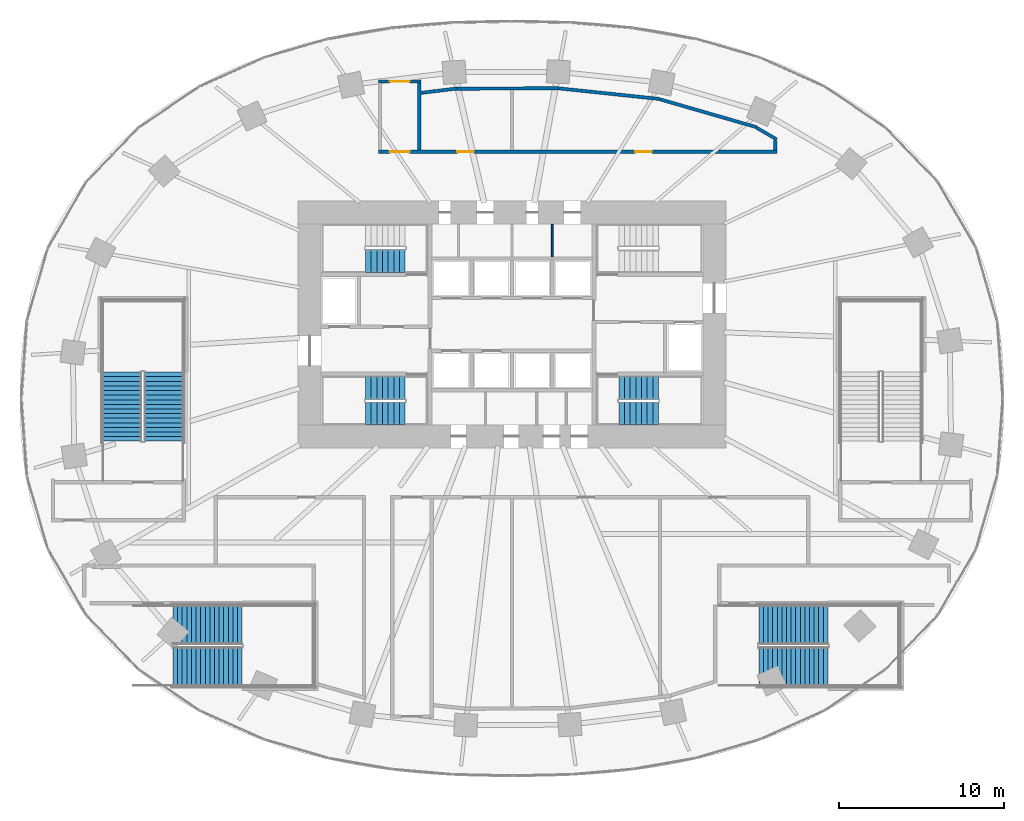
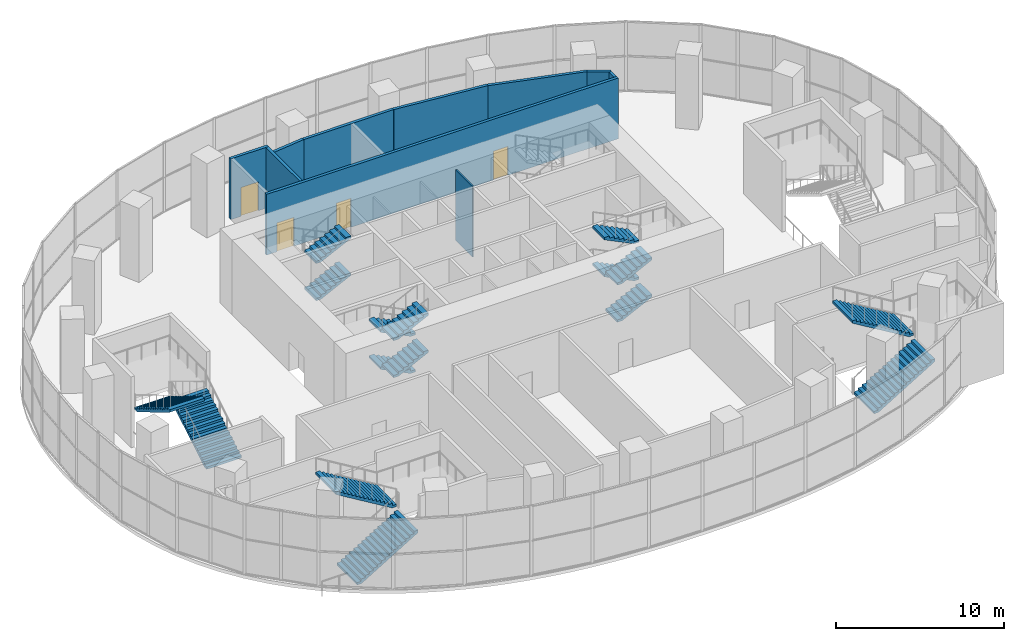
# One storey, part 14 of 20: 16 stair flights, 10 walls, 4 doors, 4 openings, 6 elements without a shape of their own.
"""IFC4 building model written with IfcOpenShell, lengths in metres."""

from ifc_helpers import new_model, si_unit, direction, frame, frame_2d, origin, place, context, subcontext, project, spatial, polyline, rectangle, outline, extrude, material, layer, layer_set, type_object, element, fill, aggregate, save


model = new_model("IFC4")

# Units and contexts
model_context = context("Model", 3, precision=1e-05, world=origin(), true_north=direction((0.0, 1.0)))
body_context = subcontext(model_context, "Body", "Model", "MODEL_VIEW")
ifc_project = project(units=[si_unit("LENGTHUNIT", "METRE"), si_unit("AREAUNIT", "SQUARE_METRE"), si_unit("VOLUMEUNIT", "CUBIC_METRE"), si_unit("PLANEANGLEUNIT", "RADIAN"), si_unit("MASSUNIT", "GRAM", prefix="KILO")], contexts=[model_context])

# Site, building, storey
site_placement = place(None, origin())
site = spatial("IfcSite", under=ifc_project, at=site_placement, CompositionType="ELEMENT")
building_placement = place(site_placement, origin())
building = spatial("IfcBuilding", under=site, at=building_placement, Name="Rubra Terraces Tower", CompositionType="ELEMENT")
storey_placement = place(building_placement, frame((0.0, 0.0, 22.800048828125)))
storey = spatial("IfcBuildingStorey", under=building, at=storey_placement, Name="L03", CompositionType="ELEMENT", Elevation=22.800048828125)

# Wall, opening, door
ifc_material_1 = material(Name="Blockwork", Category="masonry")
ifc_layer_1 = layer(ifc_material_1, 0.199951171875)
ifc_layer_set_1 = layer_set([ifc_layer_1], Name="Blockwork")
wall_type_1 = type_object("IfcWallType", Name="Corridor partition 200 blockwork", PredefinedType="PARTITIONING", material=ifc_layer_set_1)
wall_1_placement = place(storey_placement, frame((-8.1279296875, 19.258056640625, 0.0), z_axis=(0.0, 0.0, 1.0), x_axis=(1.0, 0.0, 0.0)))
wall_1 = element("IfcWall", 1, at=wall_1_placement, inside=storey, type_object=wall_type_1, Name="Partition wall", PredefinedType="PARTITIONING", context=body_context, shape_type="SweptSolid", body=[
    extrude(rectangle(XDim=2.599853515625, YDim=0.199951171875, at=frame_2d((1.2998046875, 0.0))), origin(), (0.0, 0.0, 1.0), 4.429931640625),
])
opening_1_placement = place(wall_1_placement, frame((0.699951171875, 0.0, 0.0)))
opening_1 = element("IfcOpeningElement", 2, at=opening_1_placement, cuts=wall_1, Name="Opening DB7", PredefinedType="OPENING", context=body_context, shape_type="SweptSolid", body=[
    extrude(rectangle(XDim=1.199951171875, YDim=2.10009765625, at=frame_2d((0.60009765625, 1.050048828125))), frame((0.0, 0.10986328125, 0.0), z_axis=(0.0, -1.0, 0.0), x_axis=(1.0, 0.0, 0.0)), (0.0, 0.0, 1.0), 0.219970703125),
])
ifc_material_2 = material(Name="Painted timber", Category="wood")
door_type_1 = type_object("IfcDoorType", Name="Door 1200x2100 single", OperationType="NOTDEFINED", PredefinedType="DOOR", material=ifc_material_2)
door_1_placement = place(opening_1_placement, origin())
door_1 = element("IfcDoor", 3, at=door_1_placement, inside=storey, type_object=door_type_1, Name="Door L03-02", OperationType="SINGLE_SWING_LEFT", OverallHeight=2.10009765625, OverallWidth=1.199951171875, PredefinedType="DOOR", context=body_context, shape_type="SweptSolid", body=[
    extrude(rectangle(XDim=1.199951171875, YDim=2.10009765625, at=frame_2d((0.60009765625, 1.050048828125))), frame((0.0, 0.02490234375, 0.0), z_axis=(0.0, -1.0, 0.0), x_axis=(1.0, 0.0, 0.0)), (0.0, 0.0, 1.0), 0.050048828125),
])
fill(opening_1, door_1)

# Wall
wall_2_placement = place(storey_placement, frame((-5.6279296875, 19.157958984375, 0.0), z_axis=(0.0, 0.0, 1.0), x_axis=(0.0, -1.0, 0.0)))
element("IfcWall", 4, at=wall_2_placement, inside=storey, type_object=wall_type_1, Name="Partition wall", PredefinedType="PARTITIONING", context=body_context, shape_type="SweptSolid", body=[
    extrude(rectangle(XDim=4.057861328125, YDim=0.199951171875, at=frame_2d((2.02880859375, 0.0))), origin(), (0.0, 0.0, 1.0), 4.429931640625),
])

# Wall, openings, doors
wall_3_placement = place(storey_placement, frame((16.10009765625, 15.0, 0.0), z_axis=(0.0, 0.0, 1.0), x_axis=(-1.0, 0.0, 0.0)))
wall_3 = element("IfcWall", 5, at=wall_3_placement, inside=storey, type_object=wall_type_1, Name="Partition wall", PredefinedType="PARTITIONING", context=body_context, shape_type="SweptSolid", body=[
    extrude(rectangle(XDim=24.22802734375, YDim=0.199951171875, at=frame_2d((12.114013671875, 0.0))), origin(), (0.0, 0.0, 1.0), 4.429931640625),
])
opening_2_placement = place(wall_3_placement, frame((22.327880859375, 0.0, 0.0)))
opening_2 = element("IfcOpeningElement", 6, at=opening_2_placement, cuts=wall_3, Name="Opening DB7", PredefinedType="OPENING", context=body_context, shape_type="SweptSolid", body=[
    extrude(rectangle(XDim=1.199951171875, YDim=2.10009765625, at=frame_2d((0.60009765625, 1.050048828125))), frame((0.0, 0.10986328125, 0.0), z_axis=(0.0, -1.0, 0.0), x_axis=(1.0, 0.0, 0.0)), (0.0, 0.0, 1.0), 0.219970703125),
])
opening_3_placement = place(wall_3_placement, frame((18.4140625, 0.0, 0.0)))
opening_3 = element("IfcOpeningElement", 7, at=opening_3_placement, cuts=wall_3, Name="Opening DB1", PredefinedType="OPENING", context=body_context, shape_type="SweptSolid", body=[
    extrude(rectangle(XDim=1.0, YDim=2.10009765625, at=frame_2d((0.5, 1.050048828125))), frame((0.0, 0.10986328125, 0.0), z_axis=(0.0, -1.0, 0.0), x_axis=(1.0, 0.0, 0.0)), (0.0, 0.0, 1.0), 0.219970703125),
])
opening_4_placement = place(wall_3_placement, frame((7.60009765625, 0.0, 0.0)))
opening_4 = element("IfcOpeningElement", 8, at=opening_4_placement, cuts=wall_3, Name="Opening DB1", PredefinedType="OPENING", context=body_context, shape_type="SweptSolid", body=[
    extrude(rectangle(XDim=1.0, YDim=2.10009765625, at=frame_2d((0.5, 1.050048828125))), frame((0.0, 0.10986328125, 0.0), z_axis=(0.0, -1.0, 0.0), x_axis=(1.0, 0.0, 0.0)), (0.0, 0.0, 1.0), 0.219970703125),
])
door_type_2 = type_object("IfcDoorType", Name="Door 1000x2100 single", OperationType="NOTDEFINED", PredefinedType="DOOR", material=ifc_material_2)
door_2_placement = place(opening_3_placement, origin())
door_2 = element("IfcDoor", 9, at=door_2_placement, inside=storey, type_object=door_type_2, Name="Door L03-15", OperationType="SINGLE_SWING_LEFT", OverallHeight=2.10009765625, OverallWidth=1.0, PredefinedType="DOOR", context=body_context, shape_type="SweptSolid", body=[
    extrude(rectangle(XDim=1.0, YDim=2.10009765625, at=frame_2d((0.5, 1.050048828125))), frame((0.0, 0.02490234375, 0.0), z_axis=(0.0, -1.0, 0.0), x_axis=(1.0, 0.0, 0.0)), (0.0, 0.0, 1.0), 0.050048828125),
])
fill(opening_3, door_2)
door_3_placement = place(opening_4_placement, origin())
door_3 = element("IfcDoor", 10, at=door_3_placement, inside=storey, type_object=door_type_2, Name="Door L03-16", OperationType="SINGLE_SWING_LEFT", OverallHeight=2.10009765625, OverallWidth=1.0, PredefinedType="DOOR", context=body_context, shape_type="SweptSolid", body=[
    extrude(rectangle(XDim=1.0, YDim=2.10009765625, at=frame_2d((0.5, 1.050048828125))), frame((0.0, 0.02490234375, 0.0), z_axis=(0.0, -1.0, 0.0), x_axis=(1.0, 0.0, 0.0)), (0.0, 0.0, 1.0), 0.050048828125),
])
fill(opening_4, door_3)
door_4_placement = place(opening_2_placement, origin())
door_4 = element("IfcDoor", 11, at=door_4_placement, inside=storey, type_object=door_type_1, Name="Door L03-01", OperationType="SINGLE_SWING_LEFT", OverallHeight=2.10009765625, OverallWidth=1.199951171875, PredefinedType="DOOR", context=body_context, shape_type="SweptSolid", body=[
    extrude(rectangle(XDim=1.199951171875, YDim=2.10009765625, at=frame_2d((0.60009765625, 1.050048828125))), frame((0.0, 0.02490234375, 0.0), z_axis=(0.0, -1.0, 0.0), x_axis=(1.0, 0.0, 0.0)), (0.0, 0.0, 1.0), 0.050048828125),
])
fill(opening_2, door_4)

# Walls
wall_4_placement = place(storey_placement, frame((-5.529052734375, 18.570068359375, 0.0), z_axis=(0.0, 0.0, 1.0), x_axis=(0.992659217013, 0.120944941522, 0.0)))
element("IfcWall", 12, at=wall_4_placement, inside=storey, type_object=wall_type_1, Name="Partition wall", PredefinedType="PARTITIONING", context=body_context, shape_type="SweptSolid", body=[
    extrude(rectangle(XDim=2.1982421875, YDim=0.199951171875, at=frame_2d((1.09912109375, 0.0))), origin(), (0.0, 0.0, 1.0), 4.429931640625),
])
wall_5_placement = place(storey_placement, frame((-3.345947265625, 18.823974609375, 0.0), z_axis=(0.0, 0.0, 1.0), x_axis=(0.999988297333, 0.004837891778, 0.0)))
element("IfcWall", 13, at=wall_5_placement, inside=storey, type_object=wall_type_1, Name="Partition wall", PredefinedType="PARTITIONING", context=body_context, shape_type="SweptSolid", body=[
    extrude(rectangle(XDim=6.20703125, YDim=0.199951171875, at=frame_2d((3.103515625, 0.0))), origin(), (0.0, 0.0, 1.0), 4.429931640625),
])
wall_6_placement = place(storey_placement, frame((2.860107421875, 18.843994140625, 0.0), z_axis=(0.0, 0.0, 1.0), x_axis=(0.994494179805, -0.10479182379, 0.0)))
element("IfcWall", 14, at=wall_6_placement, inside=storey, type_object=wall_type_1, Name="Partition wall", PredefinedType="PARTITIONING", context=body_context, shape_type="SweptSolid", body=[
    extrude(rectangle(XDim=6.173828125, YDim=0.199951171875, at=frame_2d((3.0869140625, 0.0))), origin(), (0.0, 0.0, 1.0), 4.429931640625),
])
ifc_layer_2 = layer(ifc_material_1, 0.199951171875)
ifc_layer_set_2 = layer_set([ifc_layer_2], Name="Blockwork")
wall_type_2 = type_object("IfcWallType", Name="Room partition 200 blockwork", PredefinedType="PARTITIONING", material=ifc_layer_set_2)
wall_7_placement = place(storey_placement, frame((8.9970703125, 18.178955078125, 0.0), z_axis=(0.0, 0.0, 1.0), x_axis=(0.960743591904, -0.277437831982, 0.0)))
element("IfcWall", 15, at=wall_7_placement, inside=storey, type_object=wall_type_2, Name="Partition wall", PredefinedType="PARTITIONING", context=body_context, shape_type="SweptSolid", body=[
    extrude(rectangle(XDim=6.098388671875, YDim=0.199951171875, at=frame_2d((3.04931640625, 0.0))), origin(), (0.0, 0.0, 1.0), 4.429931640625),
])
wall_8_placement = place(storey_placement, frame((14.845947265625, 16.465087890625, 0.0), z_axis=(0.0, 0.0, 1.0), x_axis=(0.863834413875, -0.503775848375, 0.0)))
element("IfcWall", 16, at=wall_8_placement, inside=storey, type_object=wall_type_2, Name="Partition wall", PredefinedType="PARTITIONING", context=body_context, shape_type="SweptSolid", body=[
    extrude(rectangle(XDim=1.435546875, YDim=0.199951171875, at=frame_2d((0.7177734375, 0.0))), origin(), (0.0, 0.0, 1.0), 4.429931640625),
])
wall_9_placement = place(storey_placement, frame((16.0, 15.69189453125, 0.0), z_axis=(0.0, 0.0, 1.0), x_axis=(0.0, -1.0, 0.0)))
element("IfcWall", 17, at=wall_9_placement, inside=storey, type_object=wall_type_2, Name="Partition wall", PredefinedType="PARTITIONING", context=body_context, shape_type="SweptSolid", body=[
    extrude(rectangle(XDim=0.591796875, YDim=0.199951171875, at=frame_2d((0.2958984375, 0.0))), origin(), (0.0, 0.0, 1.0), 4.429931640625),
])
ifc_layer_3 = layer(ifc_material_1, 0.10009765625)
ifc_layer_set_3 = layer_set([ifc_layer_3], Name="Blockwork")
wall_type_3 = type_object("IfcWallType", Name="Service partition 100 blockwork", PredefinedType="PARTITIONING", material=ifc_layer_set_3)
wall_10_placement = place(storey_placement, frame((2.449951171875, 8.60009765625, 0.0), z_axis=(0.0, 0.0, 1.0), x_axis=(0.0, 1.0, 0.0)))
element("IfcWall", 18, at=wall_10_placement, inside=storey, type_object=wall_type_3, Name="SERVICE ROOM PARTITION L03", PredefinedType="PARTITIONING", context=body_context, shape_type="SweptSolid", body=[
    extrude(rectangle(XDim=2.0, YDim=0.10009765625, at=frame_2d((1.0, 0.0))), origin(), (0.0, 0.0, 1.0), 5.14990234375),
])

# Stair, stair flights
ifc_material_3 = material(Name="Concrete C40", Category="concrete")
stair_type_1 = type_object("IfcStairType", Name="Core stair 1400", PredefinedType="HALF_TURN_STAIR", material=ifc_material_3)
stair_1_placement = place(storey_placement, origin())
stair_1 = element("IfcStair", 19, at=stair_1_placement, inside=storey, type_object=stair_type_1, Name="L03 Exit stair S1", PredefinedType="HALF_TURN_STAIR")
stair_flight_type_1 = type_object("IfcStairFlightType", Name="Core stair flight 1400", PredefinedType="STRAIGHT", material=ifc_material_3)
stair_flight_1_placement = place(storey_placement, frame((-6.5, 0.64990234375, 0.0), z_axis=(0.0, 0.0, 1.0), x_axis=(-1.0, 0.0, 0.0)))
stair_flight_1 = element("IfcStairFlight", 20, at=stair_flight_1_placement, type_object=stair_flight_type_1, Name="S1 flight 1", NumberOfRisers=8, NumberOfTreads=7, PredefinedType="STRAIGHT", RiserHeight=0.16875, TreadLength=0.342857143, context=body_context, shape_type="SweptSolid", body=[
    extrude(outline(polyline([(0.0, 0.0), (0.0, 0.168701171875), (0.3427734375, 0.168701171875), (0.3427734375, 0.33740234375), (0.685791015625, 0.33740234375), (0.685791015625, 0.50634765625), (1.028564453125, 0.50634765625), (1.028564453125, 0.675048828125), (1.371337890625, 0.675048828125), (1.371337890625, 0.84375), (1.71435546875, 0.84375), (1.71435546875, 1.012451171875), (2.05712890625, 1.012451171875), (2.05712890625, 1.18115234375), (2.39990234375, 1.18115234375), (2.39990234375, 1.35009765625), (2.39990234375, 1.01416015625), (0.33935546875, 0.0), (0.0, 0.0)])), frame((0.0, 0.699951171875, 0.0), z_axis=(0.0, -1.0, 0.0), x_axis=(1.0, 0.0, 0.0)), (0.0, 0.0, 1.0), 1.39990234375),
])
stair_flight_2_placement = place(storey_placement, frame((-8.89990234375, -0.89990234375, 1.349853515625), z_axis=(0.0, 0.0, 1.0), x_axis=(1.0, 0.0, 0.0)))
stair_flight_2 = element("IfcStairFlight", 21, at=stair_flight_2_placement, type_object=stair_flight_type_1, Name="S1 flight 2", NumberOfRisers=8, NumberOfTreads=7, PredefinedType="STRAIGHT", RiserHeight=0.16875, TreadLength=0.342857143, context=body_context, shape_type="SweptSolid", body=[
    extrude(outline(polyline([(0.0, 0.0), (0.0, 0.168701171875), (0.3427734375, 0.168701171875), (0.3427734375, 0.33740234375), (0.685791015625, 0.33740234375), (0.685791015625, 0.50634765625), (1.028564453125, 0.50634765625), (1.028564453125, 0.675048828125), (1.371337890625, 0.675048828125), (1.371337890625, 0.84375), (1.71435546875, 0.84375), (1.71435546875, 1.012451171875), (2.05712890625, 1.012451171875), (2.05712890625, 1.18115234375), (2.39990234375, 1.18115234375), (2.39990234375, 1.35009765625), (2.39990234375, 1.01416015625), (0.33935546875, 0.0), (0.0, 0.0)])), frame((0.0, 0.699951171875, 0.0), z_axis=(0.0, -1.0, 0.0), x_axis=(1.0, 0.0, 0.0)), (0.0, 0.0, 1.0), 1.39990234375),
])
stair_flight_3_placement = place(storey_placement, frame((-6.5, 0.64990234375, 2.699951171875), z_axis=(0.0, 0.0, 1.0), x_axis=(-1.0, 0.0, 0.0)))
stair_flight_3 = element("IfcStairFlight", 22, at=stair_flight_3_placement, type_object=stair_flight_type_1, Name="S1 flight 3", NumberOfRisers=8, NumberOfTreads=7, PredefinedType="STRAIGHT", RiserHeight=0.16875, TreadLength=0.342857143, context=body_context, shape_type="SweptSolid", body=[
    extrude(outline(polyline([(0.0, 0.0), (0.0, 0.168701171875), (0.3427734375, 0.168701171875), (0.3427734375, 0.33740234375), (0.685791015625, 0.33740234375), (0.685791015625, 0.50634765625), (1.028564453125, 0.50634765625), (1.028564453125, 0.675048828125), (1.371337890625, 0.675048828125), (1.371337890625, 0.84375), (1.71435546875, 0.84375), (1.71435546875, 1.012451171875), (2.05712890625, 1.012451171875), (2.05712890625, 1.18115234375), (2.39990234375, 1.18115234375), (2.39990234375, 1.35009765625), (2.39990234375, 1.01416015625), (0.33935546875, 0.0), (0.0, 0.0)])), frame((0.0, 0.699951171875, 0.0), z_axis=(0.0, -1.0, 0.0), x_axis=(1.0, 0.0, 0.0)), (0.0, 0.0, 1.0), 1.39990234375),
])
stair_flight_4_placement = place(storey_placement, frame((-8.89990234375, -0.89990234375, 4.050048828125), z_axis=(0.0, 0.0, 1.0), x_axis=(1.0, 0.0, 0.0)))
stair_flight_4 = element("IfcStairFlight", 23, at=stair_flight_4_placement, type_object=stair_flight_type_1, Name="S1 flight 4", NumberOfRisers=8, NumberOfTreads=7, PredefinedType="STRAIGHT", RiserHeight=0.16875, TreadLength=0.342857143, context=body_context, shape_type="SweptSolid", body=[
    extrude(outline(polyline([(0.0, 0.0), (0.0, 0.168701171875), (0.3427734375, 0.168701171875), (0.3427734375, 0.33740234375), (0.685791015625, 0.33740234375), (0.685791015625, 0.50634765625), (1.028564453125, 0.50634765625), (1.028564453125, 0.675048828125), (1.371337890625, 0.675048828125), (1.371337890625, 0.84375), (1.71435546875, 0.84375), (1.71435546875, 1.012451171875), (2.05712890625, 1.012451171875), (2.05712890625, 1.18115234375), (2.39990234375, 1.18115234375), (2.39990234375, 1.35009765625), (2.39990234375, 1.01416015625), (0.33935546875, 0.0), (0.0, 0.0)])), frame((0.0, 0.699951171875, 0.0), z_axis=(0.0, -1.0, 0.0), x_axis=(1.0, 0.0, 0.0)), (0.0, 0.0, 1.0), 1.39990234375),
])
aggregate(stair_1, [stair_flight_1, stair_flight_2, stair_flight_3, stair_flight_4])

stair_2_placement = place(storey_placement, origin())
stair_2 = element("IfcStair", 24, at=stair_2_placement, inside=storey, type_object=stair_type_1, Name="L03 Exit stair S2", PredefinedType="HALF_TURN_STAIR")
stair_flight_5_placement = place(storey_placement, frame((-8.89990234375, 8.35009765625, 1.349853515625), z_axis=(0.0, 0.0, 1.0), x_axis=(1.0, 0.0, 0.0)))
stair_flight_5 = element("IfcStairFlight", 25, at=stair_flight_5_placement, type_object=stair_flight_type_1, Name="S2 flight 2", NumberOfRisers=8, NumberOfTreads=7, PredefinedType="STRAIGHT", RiserHeight=0.16875, TreadLength=0.342857143, context=body_context, shape_type="SweptSolid", body=[
    extrude(outline(polyline([(0.0, 0.0), (0.0, 0.168701171875), (0.3427734375, 0.168701171875), (0.3427734375, 0.33740234375), (0.685791015625, 0.33740234375), (0.685791015625, 0.50634765625), (1.028564453125, 0.50634765625), (1.028564453125, 0.675048828125), (1.371337890625, 0.675048828125), (1.371337890625, 0.84375), (1.71435546875, 0.84375), (1.71435546875, 1.012451171875), (2.05712890625, 1.012451171875), (2.05712890625, 1.18115234375), (2.39990234375, 1.18115234375), (2.39990234375, 1.35009765625), (2.39990234375, 1.01416015625), (0.33935546875, 0.0), (0.0, 0.0)])), frame((0.0, 0.699951171875, 0.0), z_axis=(0.0, -1.0, 0.0), x_axis=(1.0, 0.0, 0.0)), (0.0, 0.0, 1.0), 1.39990234375),
])
stair_flight_6_placement = place(storey_placement, frame((-8.89990234375, 8.35009765625, 4.050048828125), z_axis=(0.0, 0.0, 1.0), x_axis=(1.0, 0.0, 0.0)))
stair_flight_6 = element("IfcStairFlight", 26, at=stair_flight_6_placement, type_object=stair_flight_type_1, Name="S2 flight 4", NumberOfRisers=8, NumberOfTreads=7, PredefinedType="STRAIGHT", RiserHeight=0.16875, TreadLength=0.342857143, context=body_context, shape_type="SweptSolid", body=[
    extrude(outline(polyline([(0.0, 0.0), (0.0, 0.168701171875), (0.3427734375, 0.168701171875), (0.3427734375, 0.33740234375), (0.685791015625, 0.33740234375), (0.685791015625, 0.50634765625), (1.028564453125, 0.50634765625), (1.028564453125, 0.675048828125), (1.371337890625, 0.675048828125), (1.371337890625, 0.84375), (1.71435546875, 0.84375), (1.71435546875, 1.012451171875), (2.05712890625, 1.012451171875), (2.05712890625, 1.18115234375), (2.39990234375, 1.18115234375), (2.39990234375, 1.35009765625), (2.39990234375, 1.01416015625), (0.33935546875, 0.0), (0.0, 0.0)])), frame((0.0, 0.699951171875, 0.0), z_axis=(0.0, -1.0, 0.0), x_axis=(1.0, 0.0, 0.0)), (0.0, 0.0, 1.0), 1.39990234375),
])
aggregate(stair_2, [stair_flight_5, stair_flight_6])

stair_3_placement = place(storey_placement, origin())
stair_3 = element("IfcStair", 27, at=stair_3_placement, inside=storey, type_object=stair_type_1, Name="L03 Exit stair S4", PredefinedType="HALF_TURN_STAIR")
stair_flight_7_placement = place(storey_placement, frame((6.5, -0.89990234375, 0.0), z_axis=(0.0, 0.0, 1.0), x_axis=(1.0, 0.0, 0.0)))
stair_flight_7 = element("IfcStairFlight", 28, at=stair_flight_7_placement, type_object=stair_flight_type_1, Name="S4 flight 1", NumberOfRisers=8, NumberOfTreads=7, PredefinedType="STRAIGHT", RiserHeight=0.16875, TreadLength=0.342857143, context=body_context, shape_type="SweptSolid", body=[
    extrude(outline(polyline([(0.0, 0.0), (0.0, 0.168701171875), (0.3427734375, 0.168701171875), (0.3427734375, 0.33740234375), (0.685791015625, 0.33740234375), (0.685791015625, 0.50634765625), (1.028564453125, 0.50634765625), (1.028564453125, 0.675048828125), (1.371337890625, 0.675048828125), (1.371337890625, 0.84375), (1.71435546875, 0.84375), (1.71435546875, 1.012451171875), (2.05712890625, 1.012451171875), (2.05712890625, 1.18115234375), (2.39990234375, 1.18115234375), (2.39990234375, 1.35009765625), (2.39990234375, 1.01416015625), (0.33935546875, 0.0), (0.0, 0.0)])), frame((0.0, 0.699951171875, 0.0), z_axis=(0.0, -1.0, 0.0), x_axis=(1.0, 0.0, 0.0)), (0.0, 0.0, 1.0), 1.39990234375),
])
stair_flight_8_placement = place(storey_placement, frame((8.89990234375, 0.64990234375, 1.349853515625), z_axis=(0.0, 0.0, 1.0), x_axis=(-1.0, 0.0, 0.0)))
stair_flight_8 = element("IfcStairFlight", 29, at=stair_flight_8_placement, type_object=stair_flight_type_1, Name="S4 flight 2", NumberOfRisers=8, NumberOfTreads=7, PredefinedType="STRAIGHT", RiserHeight=0.16875, TreadLength=0.342857143, context=body_context, shape_type="SweptSolid", body=[
    extrude(outline(polyline([(0.0, 0.0), (0.0, 0.168701171875), (0.3427734375, 0.168701171875), (0.3427734375, 0.33740234375), (0.685791015625, 0.33740234375), (0.685791015625, 0.50634765625), (1.028564453125, 0.50634765625), (1.028564453125, 0.675048828125), (1.371337890625, 0.675048828125), (1.371337890625, 0.84375), (1.71435546875, 0.84375), (1.71435546875, 1.012451171875), (2.05712890625, 1.012451171875), (2.05712890625, 1.18115234375), (2.39990234375, 1.18115234375), (2.39990234375, 1.35009765625), (2.39990234375, 1.01416015625), (0.33935546875, 0.0), (0.0, 0.0)])), frame((0.0, 0.699951171875, 0.0), z_axis=(0.0, -1.0, 0.0), x_axis=(1.0, 0.0, 0.0)), (0.0, 0.0, 1.0), 1.39990234375),
])
stair_flight_9_placement = place(storey_placement, frame((6.5, -0.89990234375, 2.699951171875), z_axis=(0.0, 0.0, 1.0), x_axis=(1.0, 0.0, 0.0)))
stair_flight_9 = element("IfcStairFlight", 30, at=stair_flight_9_placement, type_object=stair_flight_type_1, Name="S4 flight 3", NumberOfRisers=8, NumberOfTreads=7, PredefinedType="STRAIGHT", RiserHeight=0.16875, TreadLength=0.342857143, context=body_context, shape_type="SweptSolid", body=[
    extrude(outline(polyline([(0.0, 0.0), (0.0, 0.168701171875), (0.3427734375, 0.168701171875), (0.3427734375, 0.33740234375), (0.685791015625, 0.33740234375), (0.685791015625, 0.50634765625), (1.028564453125, 0.50634765625), (1.028564453125, 0.675048828125), (1.371337890625, 0.675048828125), (1.371337890625, 0.84375), (1.71435546875, 0.84375), (1.71435546875, 1.012451171875), (2.05712890625, 1.012451171875), (2.05712890625, 1.18115234375), (2.39990234375, 1.18115234375), (2.39990234375, 1.35009765625), (2.39990234375, 1.01416015625), (0.33935546875, 0.0), (0.0, 0.0)])), frame((0.0, 0.699951171875, 0.0), z_axis=(0.0, -1.0, 0.0), x_axis=(1.0, 0.0, 0.0)), (0.0, 0.0, 1.0), 1.39990234375),
])
stair_flight_10_placement = place(storey_placement, frame((8.89990234375, 0.64990234375, 4.050048828125), z_axis=(0.0, 0.0, 1.0), x_axis=(-1.0, 0.0, 0.0)))
stair_flight_10 = element("IfcStairFlight", 31, at=stair_flight_10_placement, type_object=stair_flight_type_1, Name="S4 flight 4", NumberOfRisers=8, NumberOfTreads=7, PredefinedType="STRAIGHT", RiserHeight=0.16875, TreadLength=0.342857143, context=body_context, shape_type="SweptSolid", body=[
    extrude(outline(polyline([(0.0, 0.0), (0.0, 0.168701171875), (0.3427734375, 0.168701171875), (0.3427734375, 0.33740234375), (0.685791015625, 0.33740234375), (0.685791015625, 0.50634765625), (1.028564453125, 0.50634765625), (1.028564453125, 0.675048828125), (1.371337890625, 0.675048828125), (1.371337890625, 0.84375), (1.71435546875, 0.84375), (1.71435546875, 1.012451171875), (2.05712890625, 1.012451171875), (2.05712890625, 1.18115234375), (2.39990234375, 1.18115234375), (2.39990234375, 1.35009765625), (2.39990234375, 1.01416015625), (0.33935546875, 0.0), (0.0, 0.0)])), frame((0.0, 0.699951171875, 0.0), z_axis=(0.0, -1.0, 0.0), x_axis=(1.0, 0.0, 0.0)), (0.0, 0.0, 1.0), 1.39990234375),
])
aggregate(stair_3, [stair_flight_7, stair_flight_8, stair_flight_9, stair_flight_10])

ifc_material_4 = material(Name="Concrete C40/50", Category="concrete")
stair_type_2 = type_object("IfcStairType", Name="Public stair", PredefinedType="HALF_TURN_STAIR", material=ifc_material_4)
stair_4_placement = place(storey_placement, origin())
stair_4 = element("IfcStair", 32, at=stair_4_placement, inside=storey, type_object=stair_type_2, Name="L03 public stair PS1", PredefinedType="HALF_TURN_STAIR")
stair_flight_type_2 = type_object("IfcStairFlightType", Name="Public stair flight 2400", PredefinedType="STRAIGHT", material=ifc_material_4)
stair_flight_11_placement = place(storey_placement, frame((-21.14990234375, -2.60009765625, 0.0), z_axis=(0.0, 0.0, 1.0), x_axis=(0.0, 1.0, 0.0)))
stair_flight_11 = element("IfcStairFlight", 33, at=stair_flight_11_placement, type_object=stair_flight_type_2, Name="PS1 flight 1", NumberOfRisers=16, NumberOfTreads=15, PredefinedType="STRAIGHT", RiserHeight=0.16875, TreadLength=0.28, context=body_context, shape_type="SweptSolid", body=[
    extrude(outline(polyline([(0.0, 0.0), (0.0, 0.168701171875), (0.280029296875, 0.168701171875), (0.280029296875, 0.33740234375), (0.56005859375, 0.33740234375), (0.56005859375, 0.50634765625), (0.840087890625, 0.50634765625), (0.840087890625, 0.675048828125), (1.1201171875, 0.675048828125), (1.1201171875, 0.84375), (1.39990234375, 0.84375), (1.39990234375, 1.012451171875), (1.679931640625, 1.012451171875), (1.679931640625, 1.18115234375), (1.9599609375, 1.18115234375), (1.9599609375, 1.35009765625), (2.239990234375, 1.35009765625), (2.239990234375, 1.518798828125), (2.52001953125, 1.518798828125), (2.52001953125, 1.6875), (2.800048828125, 1.6875), (2.800048828125, 1.856201171875), (3.080078125, 1.856201171875), (3.080078125, 2.02490234375), (3.360107421875, 2.02490234375), (3.360107421875, 2.19384765625), (3.639892578125, 2.19384765625), (3.639892578125, 2.362548828125), (3.919921875, 2.362548828125), (3.919921875, 2.53125), (4.199951171875, 2.53125), (4.199951171875, 2.699951171875), (4.199951171875, 2.344482421875), (0.309814453125, 0.0), (0.0, 0.0)])), frame((0.0, 1.199951171875, 0.0), z_axis=(0.0, -1.0, 0.0), x_axis=(1.0, 0.0, 0.0)), (0.0, 0.0, 1.0), 2.39990234375),
])
stair_flight_12_placement = place(storey_placement, frame((-23.699951171875, 1.60009765625, 2.699951171875), z_axis=(0.0, 0.0, 1.0), x_axis=(0.0, -1.0, 0.0)))
stair_flight_12 = element("IfcStairFlight", 34, at=stair_flight_12_placement, type_object=stair_flight_type_2, Name="PS1 flight 2", NumberOfRisers=16, NumberOfTreads=15, PredefinedType="STRAIGHT", RiserHeight=0.16875, TreadLength=0.28, context=body_context, shape_type="SweptSolid", body=[
    extrude(outline(polyline([(0.0, 0.0), (0.0, 0.168701171875), (0.280029296875, 0.168701171875), (0.280029296875, 0.33740234375), (0.56005859375, 0.33740234375), (0.56005859375, 0.50634765625), (0.840087890625, 0.50634765625), (0.840087890625, 0.675048828125), (1.1201171875, 0.675048828125), (1.1201171875, 0.84375), (1.39990234375, 0.84375), (1.39990234375, 1.012451171875), (1.679931640625, 1.012451171875), (1.679931640625, 1.18115234375), (1.9599609375, 1.18115234375), (1.9599609375, 1.35009765625), (2.239990234375, 1.35009765625), (2.239990234375, 1.518798828125), (2.52001953125, 1.518798828125), (2.52001953125, 1.6875), (2.800048828125, 1.6875), (2.800048828125, 1.856201171875), (3.080078125, 1.856201171875), (3.080078125, 2.02490234375), (3.360107421875, 2.02490234375), (3.360107421875, 2.19384765625), (3.639892578125, 2.19384765625), (3.639892578125, 2.362548828125), (3.919921875, 2.362548828125), (3.919921875, 2.53125), (4.199951171875, 2.53125), (4.199951171875, 2.699951171875), (4.199951171875, 2.344482421875), (0.309814453125, 0.0), (0.0, 0.0)])), frame((0.0, 1.199951171875, 0.0), z_axis=(0.0, -1.0, 0.0), x_axis=(1.0, 0.0, 0.0)), (0.0, 0.0, 1.0), 2.39990234375),
])
aggregate(stair_4, [stair_flight_11, stair_flight_12])

stair_5_placement = place(storey_placement, origin())
stair_5 = element("IfcStair", 35, at=stair_5_placement, inside=storey, type_object=stair_type_2, Name="L03 public stair PS3", PredefinedType="HALF_TURN_STAIR")
stair_flight_13_placement = place(storey_placement, frame((-20.60009765625, -16.300048828125, 0.0), z_axis=(0.0, 0.0, 1.0), x_axis=(1.0, 0.0, 0.0)))
stair_flight_13 = element("IfcStairFlight", 36, at=stair_flight_13_placement, type_object=stair_flight_type_2, Name="PS3 flight 1", NumberOfRisers=16, NumberOfTreads=15, PredefinedType="STRAIGHT", RiserHeight=0.16875, TreadLength=0.28, context=body_context, shape_type="SweptSolid", body=[
    extrude(outline(polyline([(0.0, 0.0), (0.0, 0.168701171875), (0.280029296875, 0.168701171875), (0.280029296875, 0.33740234375), (0.56005859375, 0.33740234375), (0.56005859375, 0.50634765625), (0.840087890625, 0.50634765625), (0.840087890625, 0.675048828125), (1.1201171875, 0.675048828125), (1.1201171875, 0.84375), (1.39990234375, 0.84375), (1.39990234375, 1.012451171875), (1.679931640625, 1.012451171875), (1.679931640625, 1.18115234375), (1.9599609375, 1.18115234375), (1.9599609375, 1.35009765625), (2.239990234375, 1.35009765625), (2.239990234375, 1.518798828125), (2.52001953125, 1.518798828125), (2.52001953125, 1.6875), (2.800048828125, 1.6875), (2.800048828125, 1.856201171875), (3.080078125, 1.856201171875), (3.080078125, 2.02490234375), (3.360107421875, 2.02490234375), (3.360107421875, 2.19384765625), (3.639892578125, 2.19384765625), (3.639892578125, 2.362548828125), (3.919921875, 2.362548828125), (3.919921875, 2.53125), (4.199951171875, 2.53125), (4.199951171875, 2.699951171875), (4.199951171875, 2.344482421875), (0.309814453125, 0.0), (0.0, 0.0)])), frame((0.0, 1.199951171875, 0.0), z_axis=(0.0, -1.0, 0.0), x_axis=(1.0, 0.0, 0.0)), (0.0, 0.0, 1.0), 2.39990234375),
])
stair_flight_14_placement = place(storey_placement, frame((-16.39990234375, -13.75, 2.699951171875), z_axis=(0.0, 0.0, 1.0), x_axis=(-1.0, 0.0, 0.0)))
stair_flight_14 = element("IfcStairFlight", 37, at=stair_flight_14_placement, type_object=stair_flight_type_2, Name="PS3 flight 2", NumberOfRisers=16, NumberOfTreads=15, PredefinedType="STRAIGHT", RiserHeight=0.16875, TreadLength=0.28, context=body_context, shape_type="SweptSolid", body=[
    extrude(outline(polyline([(0.0, 0.0), (0.0, 0.168701171875), (0.280029296875, 0.168701171875), (0.280029296875, 0.33740234375), (0.56005859375, 0.33740234375), (0.56005859375, 0.50634765625), (0.840087890625, 0.50634765625), (0.840087890625, 0.675048828125), (1.1201171875, 0.675048828125), (1.1201171875, 0.84375), (1.39990234375, 0.84375), (1.39990234375, 1.012451171875), (1.679931640625, 1.012451171875), (1.679931640625, 1.18115234375), (1.9599609375, 1.18115234375), (1.9599609375, 1.35009765625), (2.239990234375, 1.35009765625), (2.239990234375, 1.518798828125), (2.52001953125, 1.518798828125), (2.52001953125, 1.6875), (2.800048828125, 1.6875), (2.800048828125, 1.856201171875), (3.080078125, 1.856201171875), (3.080078125, 2.02490234375), (3.360107421875, 2.02490234375), (3.360107421875, 2.19384765625), (3.639892578125, 2.19384765625), (3.639892578125, 2.362548828125), (3.919921875, 2.362548828125), (3.919921875, 2.53125), (4.199951171875, 2.53125), (4.199951171875, 2.699951171875), (4.199951171875, 2.344482421875), (0.309814453125, 0.0), (0.0, 0.0)])), frame((0.0, 1.199951171875, 0.0), z_axis=(0.0, -1.0, 0.0), x_axis=(1.0, 0.0, 0.0)), (0.0, 0.0, 1.0), 2.39990234375),
])
aggregate(stair_5, [stair_flight_13, stair_flight_14])

stair_6_placement = place(storey_placement, origin())
stair_6 = element("IfcStair", 38, at=stair_6_placement, inside=storey, type_object=stair_type_2, Name="L03 public stair PS4", PredefinedType="HALF_TURN_STAIR")
stair_flight_15_placement = place(storey_placement, frame((15.0, -16.300048828125, 0.0), z_axis=(0.0, 0.0, 1.0), x_axis=(1.0, 0.0, 0.0)))
stair_flight_15 = element("IfcStairFlight", 39, at=stair_flight_15_placement, type_object=stair_flight_type_2, Name="PS4 flight 1", NumberOfRisers=16, NumberOfTreads=15, PredefinedType="STRAIGHT", RiserHeight=0.16875, TreadLength=0.28, context=body_context, shape_type="SweptSolid", body=[
    extrude(outline(polyline([(0.0, 0.0), (0.0, 0.168701171875), (0.280029296875, 0.168701171875), (0.280029296875, 0.33740234375), (0.56005859375, 0.33740234375), (0.56005859375, 0.50634765625), (0.840087890625, 0.50634765625), (0.840087890625, 0.675048828125), (1.1201171875, 0.675048828125), (1.1201171875, 0.84375), (1.39990234375, 0.84375), (1.39990234375, 1.012451171875), (1.679931640625, 1.012451171875), (1.679931640625, 1.18115234375), (1.9599609375, 1.18115234375), (1.9599609375, 1.35009765625), (2.239990234375, 1.35009765625), (2.239990234375, 1.518798828125), (2.52001953125, 1.518798828125), (2.52001953125, 1.6875), (2.800048828125, 1.6875), (2.800048828125, 1.856201171875), (3.080078125, 1.856201171875), (3.080078125, 2.02490234375), (3.360107421875, 2.02490234375), (3.360107421875, 2.19384765625), (3.639892578125, 2.19384765625), (3.639892578125, 2.362548828125), (3.919921875, 2.362548828125), (3.919921875, 2.53125), (4.199951171875, 2.53125), (4.199951171875, 2.699951171875), (4.199951171875, 2.344482421875), (0.309814453125, 0.0), (0.0, 0.0)])), frame((0.0, 1.199951171875, 0.0), z_axis=(0.0, -1.0, 0.0), x_axis=(1.0, 0.0, 0.0)), (0.0, 0.0, 1.0), 2.39990234375),
])
stair_flight_16_placement = place(storey_placement, frame((19.199951171875, -13.75, 2.699951171875), z_axis=(0.0, 0.0, 1.0), x_axis=(-1.0, 0.0, 0.0)))
stair_flight_16 = element("IfcStairFlight", 40, at=stair_flight_16_placement, type_object=stair_flight_type_2, Name="PS4 flight 2", NumberOfRisers=16, NumberOfTreads=15, PredefinedType="STRAIGHT", RiserHeight=0.16875, TreadLength=0.28, context=body_context, shape_type="SweptSolid", body=[
    extrude(outline(polyline([(0.0, 0.0), (0.0, 0.168701171875), (0.280029296875, 0.168701171875), (0.280029296875, 0.33740234375), (0.56005859375, 0.33740234375), (0.56005859375, 0.50634765625), (0.840087890625, 0.50634765625), (0.840087890625, 0.675048828125), (1.1201171875, 0.675048828125), (1.1201171875, 0.84375), (1.39990234375, 0.84375), (1.39990234375, 1.012451171875), (1.679931640625, 1.012451171875), (1.679931640625, 1.18115234375), (1.9599609375, 1.18115234375), (1.9599609375, 1.35009765625), (2.239990234375, 1.35009765625), (2.239990234375, 1.518798828125), (2.52001953125, 1.518798828125), (2.52001953125, 1.6875), (2.800048828125, 1.6875), (2.800048828125, 1.856201171875), (3.080078125, 1.856201171875), (3.080078125, 2.02490234375), (3.360107421875, 2.02490234375), (3.360107421875, 2.19384765625), (3.639892578125, 2.19384765625), (3.639892578125, 2.362548828125), (3.919921875, 2.362548828125), (3.919921875, 2.53125), (4.199951171875, 2.53125), (4.199951171875, 2.699951171875), (4.199951171875, 2.344482421875), (0.309814453125, 0.0), (0.0, 0.0)])), frame((0.0, 1.199951171875, 0.0), z_axis=(0.0, -1.0, 0.0), x_axis=(1.0, 0.0, 0.0)), (0.0, 0.0, 1.0), 2.39990234375),
])
aggregate(stair_6, [stair_flight_15, stair_flight_16])

save(model, "model.ifc")
